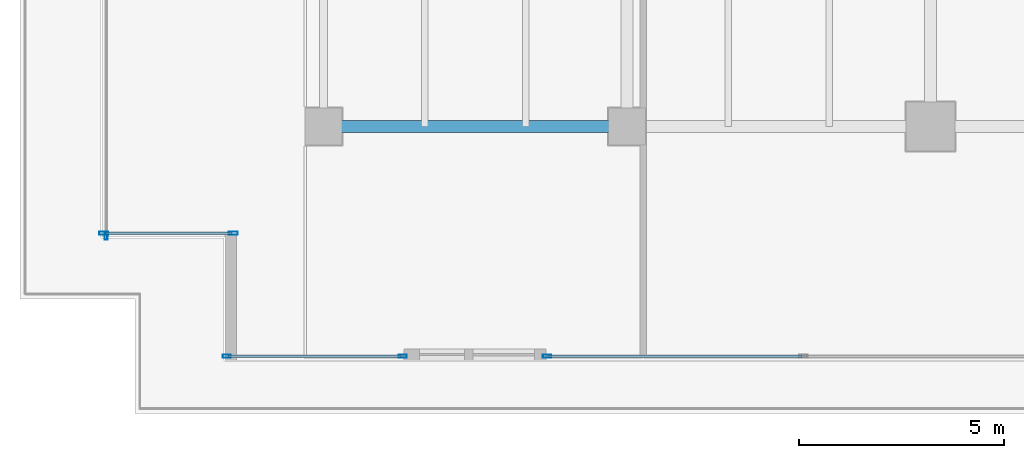
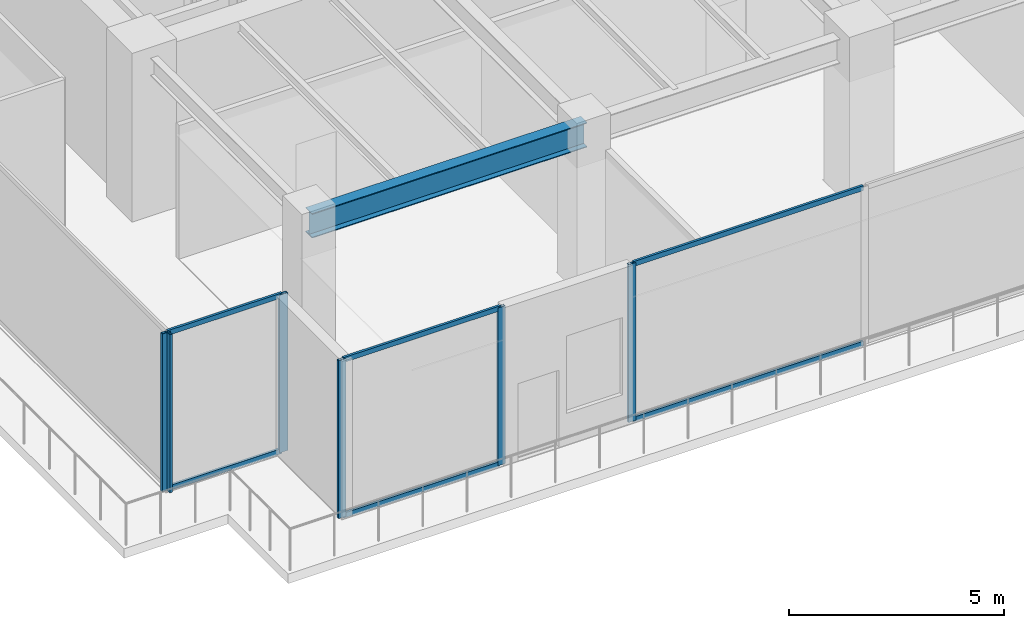
# One storey, part 2 of 33: 12 members, 1 beam, 4 elements without a shape of their own.
"""IFC4 building model written with IfcOpenShell, lengths in metres."""

import ifcopenshell
import ifcopenshell.guid

model = None  # the IFC model being written
_history = None  # IfcOwnerHistory: only IFC2X3 demands one
_inside = {}  # id of a spatial element -> (the spatial element, [elements in it])
_under = {}  # id of a project, library or spatial element -> (it, [spatial elements below it])
_declared = {}  # id of a project -> (the project, [libraries it declares])
_typed = {}  # id of a type object -> (the type object, [elements of that type])
_made_of = {}  # id of a material, layer set ... -> (it, [elements and type objects made of it])


def new_model(schema):
    """Start an empty IFC model of exactly this schema.

    Asked for "IFC4X3", IfcOpenShell would pick the latest addendum, in which some entities
    have other attributes; the version numbers below select the first issue.
    IFC2X3 requires an IfcOwnerHistory on every rooted entity: one is made here for all.
    """
    global model, _history
    if schema == "IFC4X3":
        model = ifcopenshell.file(schema_version=(4, 3, 0, 0))
    else:
        model = ifcopenshell.file(schema=schema)
    _inside.clear()
    _under.clear()
    _declared.clear()
    _typed.clear()
    _made_of.clear()
    _history = None
    if model.schema == "IFC2X3":
        org = make("IfcOrganization", Name="unknown")
        user = make(
            "IfcPersonAndOrganization",
            ThePerson=make("IfcPerson", FamilyName="unknown"),
            TheOrganization=org,
        )
        app = make(
            "IfcApplication",
            ApplicationDeveloper=org,
            Version="unknown",
            ApplicationFullName="unknown",
            ApplicationIdentifier="unknown",
        )
        _history = make(
            "IfcOwnerHistory",
            OwningUser=user,
            OwningApplication=app,
            ChangeAction="ADDED",
            CreationDate=0,
        )
    return model


def make(cls, **values):
    """One entity of the class cls with the attributes given. An attribute that is None is left unset."""
    return model.create_entity(
        cls, **{name: value for name, value in values.items() if value is not None}
    )


def rooted(cls, **values):
    """An entity with a GlobalId (a new one), such as an element, a storey or a relation."""
    return make(cls, GlobalId=ifcopenshell.guid.new(), OwnerHistory=_history, **values)


def si_unit(unit_type, name, prefix=None):
    """IfcSIUnit, for example si_unit("LENGTHUNIT", "METRE", prefix="MILLI")."""
    return make("IfcSIUnit", UnitType=unit_type, Prefix=prefix, Name=name)


def assignment(units):
    """IfcUnitAssignment: the units of a project."""
    return None if units is None else make("IfcUnitAssignment", Units=units)


def point(xyz):
    """IfcCartesianPoint."""
    return None if xyz is None else make("IfcCartesianPoint", Coordinates=xyz)


def direction(xyz):
    """IfcDirection."""
    return None if xyz is None else make("IfcDirection", DirectionRatios=xyz)


def frame(location, z_axis=None, x_axis=None):
    """IfcAxis2Placement3D, a coordinate frame: its origin and axes. An axis left out is left unset."""
    return make(
        "IfcAxis2Placement3D",
        Location=point(location),
        Axis=direction(z_axis),
        RefDirection=direction(x_axis),
    )


def frame_2d(location, x_axis=None):
    """IfcAxis2Placement2D, a coordinate frame in the plane: its origin and x axis."""
    return make(
        "IfcAxis2Placement2D", Location=point(location), RefDirection=direction(x_axis)
    )


def origin():
    """The frame at (0, 0, 0) with its axes left unset."""
    return frame((0.0, 0.0, 0.0))


def origin_2d():
    """The frame at (0, 0) in the plane with its x axis left unset."""
    return frame_2d((0.0, 0.0))


def place(relative_to, where):
    """IfcLocalPlacement: puts the frame where relative to a parent placement (None: the world)."""
    return make(
        "IfcLocalPlacement", PlacementRelTo=relative_to, RelativePlacement=where
    )


def context(
    kind, dimensions, precision=None, world=None, true_north=None, identifier=None
):
    """IfcGeometricRepresentationContext, for example the 3D "Model" context."""
    return make(
        "IfcGeometricRepresentationContext",
        ContextIdentifier=identifier,
        ContextType=kind,
        CoordinateSpaceDimension=dimensions,
        Precision=precision,
        WorldCoordinateSystem=world,
        TrueNorth=true_north,
    )


def subcontext(parent, identifier, kind, view, scale=None):
    """IfcGeometricRepresentationSubContext, for example "Body" below "Model"."""
    return make(
        "IfcGeometricRepresentationSubContext",
        ContextIdentifier=identifier,
        ContextType=kind,
        ParentContext=parent,
        TargetScale=scale,
        TargetView=view,
    )


def project(units=None, contexts=None):
    """IfcProject with its units and contexts."""
    return rooted(
        "IfcProject",
        Name="project",
        RepresentationContexts=contexts,
        UnitsInContext=assignment(units),
    )


def spatial(cls, under=None, at=None, **own):
    """A site, building, storey or space (cls), placed at a placement, below another one or the project."""
    s = rooted(cls, ObjectPlacement=at, **own)
    if under is not None:
        _under.setdefault(under.id(), (under, []))[1].append(s)
    return s


def profile(cls, at=None, kind="AREA", **sizes):
    """A parametric profile (cls). Its sizes go by their IFC names, for example OverallWidth=200.0."""
    return make(cls, ProfileType=kind, Position=at, **sizes)


def hollow_rectangle(**sizes):
    """IfcRectangleHollowProfileDef."""
    return profile("IfcRectangleHollowProfileDef", **sizes)


def i_section(**sizes):
    """IfcIShapeProfileDef."""
    return profile("IfcIShapeProfileDef", **sizes)


def extrude(swept, where, along, depth):
    """IfcExtrudedAreaSolid: the profile swept, set in the frame where, extruded along a direction by depth."""
    return make(
        "IfcExtrudedAreaSolid",
        SweptArea=swept,
        Position=where,
        ExtrudedDirection=direction(along),
        Depth=depth,
    )


def shape(context_of_items, identifier, shape_type, items):
    """IfcShapeRepresentation: the items that make up one representation, for example the "Body"."""
    return make(
        "IfcShapeRepresentation",
        ContextOfItems=context_of_items,
        RepresentationIdentifier=identifier,
        RepresentationType=shape_type,
        Items=items,
    )


def source(mapping_origin, context_of_items, identifier, shape_type, items):
    """IfcRepresentationMap: a shape defined once, which mapped items show again and again."""
    return make(
        "IfcRepresentationMap",
        MappingOrigin=mapping_origin,
        MappedRepresentation=shape(context_of_items, identifier, shape_type, items),
    )


def transform(
    local_origin,
    x_axis=None,
    y_axis=None,
    z_axis=None,
    scale=None,
    scale2=None,
    scale3=None,
    uniform=True,
):
    """IfcCartesianTransformationOperator3D, or its non-uniform kind. x_axis, y_axis, z_axis: its Axis1, 2, 3."""
    if uniform:
        return make(
            "IfcCartesianTransformationOperator3D",
            Axis1=direction(x_axis),
            Axis2=direction(y_axis),
            LocalOrigin=point(local_origin),
            Scale=scale,
            Axis3=direction(z_axis),
        )
    return make(
        "IfcCartesianTransformationOperator3DnonUniform",
        Axis1=direction(x_axis),
        Axis2=direction(y_axis),
        LocalOrigin=point(local_origin),
        Scale=scale,
        Axis3=direction(z_axis),
        Scale2=scale2,
        Scale3=scale3,
    )


def mapped(mapping_source, mapping_target):
    """IfcMappedItem: shows the shape of a source again, moved by a transform."""
    return make(
        "IfcMappedItem", MappingSource=mapping_source, MappingTarget=mapping_target
    )


def material(Name=None, Category=None):
    """IfcMaterial."""
    return make("IfcMaterial", Name=Name, Category=Category)


def layer(
    of_material, thickness, ventilated=None, Name=None, Category=None, Priority=None
):
    """IfcMaterialLayer: one layer of a wall or slab, of a material (None: an air gap)."""
    return make(
        "IfcMaterialLayer",
        Material=of_material,
        LayerThickness=thickness,
        IsVentilated=ventilated,
        Name=Name,
        Category=Category,
        Priority=Priority,
    )


def layer_set(layers, Name=None):
    """IfcMaterialLayerSet."""
    return make("IfcMaterialLayerSet", MaterialLayers=layers, LayerSetName=Name)


def material_profile(
    of_material, cross_section, Name=None, Category=None, Priority=None
):
    """IfcMaterialProfile: a cross section and its material."""
    return make(
        "IfcMaterialProfile",
        Name=Name,
        Material=of_material,
        Profile=cross_section,
        Priority=Priority,
        Category=Category,
    )


def profile_set(profiles, Name=None, composite=None):
    """IfcMaterialProfileSet."""
    return make(
        "IfcMaterialProfileSet",
        Name=Name,
        MaterialProfiles=profiles,
        CompositeProfile=composite,
    )


def made_of(thing, what):
    """Note that an element or type object is made of a material, layer set ...; save() writes the relation."""
    if what is not None:
        _made_of.setdefault(what.id(), (what, []))[1].append(thing)
    return thing


def type_object(cls, material=None, **own):
    """A type object (cls), such as IfcWallType, which elements share."""
    return made_of(rooted(cls, **own), material)


def type_shapes(of_type, sources):
    """Give a type object the sources (RepresentationMaps) that its elements show as mapped items."""
    of_type.RepresentationMaps = sources


def element(
    cls,
    number,
    at=None,
    inside=None,
    cuts=None,
    type_object=None,
    material=None,
    context=None,
    identifier="Body",
    shape_type=None,
    held_by="IfcProductDefinitionShape",
    body=None,
    shapes=None,
    **own,
):
    """One element of the class cls, such as IfcWall. Its Tag is "e" and its number.

    at: its placement. inside: the storey or other place that contains it. cuts: it is an
    opening in that element (IfcRelVoidsElement). A single representation is given by context,
    identifier, shape_type and body (its items); several are given by shapes. held_by: the class
    of the entity that holds the representations. save() writes the other relations.
    """
    e = rooted(cls, Tag="e%d" % number, ObjectPlacement=at, **own)
    if body is not None:
        shapes = [shape(context, identifier, shape_type, body)]
    if shapes is not None:
        e.Representation = make(held_by, Representations=shapes)
    if inside is not None:
        _inside.setdefault(inside.id(), (inside, []))[1].append(e)
    if cuts is not None:
        rooted(
            "IfcRelVoidsElement", RelatingBuildingElement=cuts, RelatedOpeningElement=e
        )
    if type_object is not None:
        _typed.setdefault(type_object.id(), (type_object, []))[1].append(e)
    return made_of(e, material)


def aggregate(whole, parts):
    """IfcRelAggregates: a whole, such as a stair, and the parts it consists of."""
    return rooted("IfcRelAggregates", RelatingObject=whole, RelatedObjects=parts)


def save(model, path):
    """Write the relations noted so far, then the file.

    IfcRelAggregates (storeys below a building ...), IfcRelContainedInSpatialStructure (elements
    in a storey), IfcRelDefinesByType, IfcRelAssociatesMaterial and IfcRelDeclares: one each for
    every whole, place, type object, material and project.
    """
    for whole, parts in _under.values():
        aggregate(whole, parts)
    for where, things in _inside.values():
        rooted(
            "IfcRelContainedInSpatialStructure",
            RelatedElements=things,
            RelatingStructure=where,
        )
    for kind, things in _typed.values():
        rooted("IfcRelDefinesByType", RelatedObjects=things, RelatingType=kind)
    for what, things in _made_of.values():
        rooted("IfcRelAssociatesMaterial", RelatedObjects=things, RelatingMaterial=what)
    for by, libraries in _declared.values():
        rooted("IfcRelDeclares", RelatingContext=by, RelatedDefinitions=libraries)
    model.write(path)


model = new_model("IFC4")

# Units and contexts
model_context = context("Model", 3, precision=1e-05, world=origin(), true_north=direction((0.0, 1.0)))
body_context = subcontext(model_context, "Body", "Model", "MODEL_VIEW")
ifc_project = project(units=[si_unit("LENGTHUNIT", "METRE"), si_unit("AREAUNIT", "SQUARE_METRE"), si_unit("VOLUMEUNIT", "CUBIC_METRE"), si_unit("PLANEANGLEUNIT", "RADIAN"), si_unit("MASSUNIT", "GRAM", prefix="KILO")], contexts=[model_context])

# Site, building, storey
site_placement = place(None, origin())
site = spatial("IfcSite", under=ifc_project, at=site_placement, CompositionType="ELEMENT")
building_placement = place(site_placement, origin())
building = spatial("IfcBuilding", under=site, at=building_placement, Name="Haelvirn Gate Laboratories", CompositionType="ELEMENT")
storey_placement = place(building_placement, frame((0.0, 0.0, 100.300048828125)))
storey = spatial("IfcBuildingStorey", under=building, at=storey_placement, Name="L24", CompositionType="ELEMENT", Elevation=100.300048828125)

# Beam
ifc_material_1 = material(Name="Steel SM355", Category="steel")
ifc_material_profile_1 = material_profile(ifc_material_1, i_section(OverallWidth=0.300048828125, OverallDepth=0.699951171875, WebThickness=0.012939453125, FlangeThickness=0.02392578125, at=origin_2d()), Name="H-700x300x13x24")
ifc_profile_set_1 = profile_set([ifc_material_profile_1], Name="Steel SM355")
beam_type = type_object("IfcBeamType", Name="BM-G-700", PredefinedType="BEAM", material=ifc_profile_set_1)
shared_shape_1 = source(origin(), body_context, "Body", "SweptSolid", [
    extrude(i_section(OverallWidth=0.300048828125, OverallDepth=0.699951171875, WebThickness=0.012939453125, FlangeThickness=0.02392578125, at=origin_2d()), origin(), (0.0, 0.0, 1.0), 7.400146484375),
])
type_shapes(beam_type, [shared_shape_1])
beam_placement = place(storey_placement, frame((7.39990234375, 7.0, 4.139892578125), z_axis=(1.0, 0.0, 0.0), x_axis=(0.0, 1.0, 0.0)))
element("IfcBeam", 1, at=beam_placement, inside=storey, type_object=beam_type, Name="L24 Primary Girder Y7.0 (7.4-14.8)", PredefinedType="BEAM", context=body_context, shape_type="MappedRepresentation", body=[
    mapped(shared_shape_1, transform((0.0, 0.0, 0.0), scale=1.0)),
])

# Curtain wall, members
ifc_material_2 = material(Name="Anodised bronze unitised aluminium & triple low-E glass", Category="aluminium")
ifc_layer_1 = layer(ifc_material_2, 0.179931640625, Name="CW-SYS-3")
ifc_layer_set_1 = layer_set([ifc_layer_1], Name="Anodised bronze unitised aluminium & triple low-E glass")
curtain_wall_type_1 = type_object("IfcCurtainWallType", Name="CW-SYS-3", PredefinedType="NOTDEFINED", material=ifc_layer_set_1)
curtain_wall_1_placement = place(storey_placement, origin())
curtain_wall_1 = element("IfcCurtainWall", 2, at=curtain_wall_1_placement, inside=storey, type_object=curtain_wall_type_1, Name="L24 Unitised Curtain Wall CW-L24-P0-E00-1", PredefinedType="NOTDEFINED")
ifc_material_3 = material(Name="Extruded aluminium 6063-T6 (anodised bronze)", Category="aluminium")
ifc_material_profile_2 = material_profile(ifc_material_3, hollow_rectangle(XDim=0.074951171875, YDim=0.199951171875, WallThickness=0.0048828125, at=origin_2d()), Name="CWM-200x75x5")
ifc_profile_set_2 = profile_set([ifc_material_profile_2], Name="Extruded aluminium 6063-T6 (anodised bronze)")
member_type_1 = type_object("IfcMemberType", Name="CWM-T200", PredefinedType="MULLION", material=ifc_profile_set_2)
shared_shape_2 = source(origin(), body_context, "Body", "SweptSolid", [
    extrude(hollow_rectangle(XDim=0.074951171875, YDim=0.199951171875, WallThickness=0.0048828125, at=origin_2d()), origin(), (0.0, 0.0, 1.0), 4.489990234375),
])
type_shapes(member_type_1, [shared_shape_2])
member_1_placement = place(storey_placement, frame((5.03759765625, 1.39990234375, 0.0), z_axis=(0.0, 0.0, 1.0), x_axis=(0.0, 1.0, 0.0)))
member_1 = element("IfcMember", 3, at=member_1_placement, type_object=member_type_1, Name="CW3 mullion 1", PredefinedType="MULLION", context=body_context, shape_type="MappedRepresentation", body=[
    mapped(shared_shape_2, transform((0.0, 0.0, 0.0), scale=1.0)),
])
member_2_placement = place(storey_placement, frame((9.33251953125, 1.39990234375, 0.0), z_axis=(0.0, 0.0, 1.0), x_axis=(0.0, 1.0, 0.0)))
member_2 = element("IfcMember", 4, at=member_2_placement, type_object=member_type_1, Name="CW3 mullion 2", PredefinedType="MULLION", context=body_context, shape_type="MappedRepresentation", body=[
    mapped(shared_shape_2, transform((0.0, 0.0, 0.0), scale=1.0)),
])

# Curtain wall, member
curtain_wall_2_placement = place(storey_placement, origin())
curtain_wall_2 = element("IfcCurtainWall", 5, at=curtain_wall_2_placement, inside=storey, type_object=curtain_wall_type_1, Name="L24 Unitised Curtain Wall CW-L24-P0-E00-2", PredefinedType="NOTDEFINED")
member_3_placement = place(storey_placement, frame((12.847412109375, 1.39990234375, 0.0), z_axis=(0.0, 0.0, 1.0), x_axis=(0.0, 1.0, 0.0)))
member_3 = element("IfcMember", 6, at=member_3_placement, type_object=member_type_1, Name="CW3 mullion 1", PredefinedType="MULLION", context=body_context, shape_type="MappedRepresentation", body=[
    mapped(shared_shape_2, transform((0.0, 0.0, 0.0), scale=1.0)),
])

curtain_wall_3_placement = place(storey_placement, origin())
curtain_wall_3 = element("IfcCurtainWall", 7, at=curtain_wall_3_placement, inside=storey, type_object=curtain_wall_type_1, Name="L24 Unitised Curtain Wall CW-L24-P0-E17", PredefinedType="NOTDEFINED")
member_4_placement = place(storey_placement, frame((2.10009765625, 4.33740234375, 0.0), z_axis=(0.0, 0.0, 1.0), x_axis=(1.0, 0.0, 0.0)))
member_4 = element("IfcMember", 8, at=member_4_placement, type_object=member_type_1, Name="CW3 mullion 4", PredefinedType="MULLION", context=body_context, shape_type="MappedRepresentation", body=[
    mapped(shared_shape_2, transform((0.0, 0.0, 0.0), scale=1.0)),
])
aggregate(curtain_wall_3, [member_4])

# Member
ifc_material_profile_3 = material_profile(ifc_material_3, hollow_rectangle(XDim=0.06494140625, YDim=0.139892578125, WallThickness=0.00390625, at=origin_2d()), Name="CWT-140x65x4")
ifc_profile_set_3 = profile_set([ifc_material_profile_3], Name="Extruded aluminium 6063-T6 (anodised bronze)")
member_type_2 = type_object("IfcMemberType", Name="CWT-T140", PredefinedType="USERDEFINED", material=ifc_profile_set_3)
shared_shape_3 = source(origin(), body_context, "Body", "SweptSolid", [
    extrude(hollow_rectangle(XDim=0.06494140625, YDim=0.139892578125, WallThickness=0.00390625, at=origin_2d()), origin(), (0.0, 0.0, 1.0), 4.219970703125),
])
member_5_placement = place(storey_placement, frame((5.074951171875, 1.39990234375, 0.032470703125), z_axis=(1.0, 0.0, 0.0), x_axis=(0.0, 1.0, 0.0)))
member_5 = element("IfcMember", 9, at=member_5_placement, type_object=member_type_2, Name="CW3 transom 1.1", ObjectType="TRANSOM", PredefinedType="USERDEFINED", context=body_context, shape_type="MappedRepresentation", body=[
    mapped(shared_shape_3, transform((0.0, 0.0, 0.0), scale=1.0)),
])

member_6_placement = place(storey_placement, frame((5.074951171875, 1.39990234375, 4.45751953125), z_axis=(1.0, 0.0, 0.0), x_axis=(0.0, 1.0, 0.0)))
member_6 = element("IfcMember", 10, at=member_6_placement, type_object=member_type_2, Name="CW3 transom 1.2", ObjectType="TRANSOM", PredefinedType="USERDEFINED", context=body_context, shape_type="MappedRepresentation", body=[
    mapped(shared_shape_3, transform((0.0, 0.0, 0.0), scale=1.0)),
])

aggregate(curtain_wall_1, [member_1, member_2, member_5, member_6])

shared_shape_4 = source(origin(), body_context, "Body", "SweptSolid", [
    extrude(hollow_rectangle(XDim=0.06494140625, YDim=0.139892578125, WallThickness=0.00390625, at=origin_2d()), origin(), (0.0, 0.0, 1.0), 6.182373046875),
])
member_7_placement = place(storey_placement, frame((12.885009765625, 1.39990234375, 0.032470703125), z_axis=(1.0, 0.0, 0.0), x_axis=(0.0, 1.0, 0.0)))
member_7 = element("IfcMember", 11, at=member_7_placement, type_object=member_type_2, Name="CW3 transom 1.1", ObjectType="TRANSOM", PredefinedType="USERDEFINED", context=body_context, shape_type="MappedRepresentation", body=[
    mapped(shared_shape_4, transform((0.0, 0.0, 0.0), scale=1.0)),
])

member_8_placement = place(storey_placement, frame((12.885009765625, 1.39990234375, 4.45751953125), z_axis=(1.0, 0.0, 0.0), x_axis=(0.0, 1.0, 0.0)))
member_8 = element("IfcMember", 12, at=member_8_placement, type_object=member_type_2, Name="CW3 transom 1.2", ObjectType="TRANSOM", PredefinedType="USERDEFINED", context=body_context, shape_type="MappedRepresentation", body=[
    mapped(shared_shape_4, transform((0.0, 0.0, 0.0), scale=1.0)),
])

aggregate(curtain_wall_2, [member_3, member_7, member_8])

# Curtain wall, members
ifc_layer_2 = layer(ifc_material_2, 0.181884765625, Name="CW-SYS-5")
ifc_layer_set_2 = layer_set([ifc_layer_2], Name="Anodised bronze unitised aluminium & triple low-E glass")
curtain_wall_type_2 = type_object("IfcCurtainWallType", Name="CW-SYS-5", PredefinedType="NOTDEFINED", material=ifc_layer_set_2)
curtain_wall_4_placement = place(storey_placement, origin())
curtain_wall_4 = element("IfcCurtainWall", 13, at=curtain_wall_4_placement, inside=storey, type_object=curtain_wall_type_2, Name="L24 Unitised Curtain Wall CW-L24-P0-E18-1", PredefinedType="NOTDEFINED")
ifc_material_profile_4 = material_profile(ifc_material_3, hollow_rectangle(XDim=0.080078125, YDim=0.219970703125, WallThickness=0.006103515625, at=origin_2d()), Name="CWM-220x80x6")
ifc_profile_set_4 = profile_set([ifc_material_profile_4], Name="Extruded aluminium 6063-T6 (anodised bronze)")
member_type_3 = type_object("IfcMemberType", Name="CWM-T220", PredefinedType="MULLION", material=ifc_profile_set_4)
shared_shape_5 = source(origin(), body_context, "Body", "SweptSolid", [
    extrude(hollow_rectangle(XDim=0.080078125, YDim=0.219970703125, WallThickness=0.006103515625, at=origin_2d()), origin(), (0.0, 0.0, 1.0), 4.489990234375),
])
type_shapes(member_type_3, [shared_shape_5])
member_9_placement = place(storey_placement, frame((2.0400390625, 4.39990234375, 0.0), z_axis=(0.0, 0.0, 1.0), x_axis=(0.0, 1.0, 0.0)))
member_9 = element("IfcMember", 14, at=member_9_placement, type_object=member_type_3, Name="CW5 mullion 1", PredefinedType="MULLION", context=body_context, shape_type="MappedRepresentation", body=[
    mapped(shared_shape_5, transform((0.0, 0.0, 0.0), scale=1.0)),
])
member_10_placement = place(storey_placement, frame((5.199951171875, 4.39990234375, 0.0), z_axis=(0.0, 0.0, 1.0), x_axis=(0.0, 1.0, 0.0)))
member_10 = element("IfcMember", 15, at=member_10_placement, type_object=member_type_3, Name="CW5 mullion 2", PredefinedType="MULLION", context=body_context, shape_type="MappedRepresentation", body=[
    mapped(shared_shape_5, transform((0.0, 0.0, 0.0), scale=1.0)),
])
shared_shape_6 = source(origin(), body_context, "Body", "SweptSolid", [
    extrude(hollow_rectangle(XDim=0.06494140625, YDim=0.139892578125, WallThickness=0.00390625, at=origin_2d()), origin(), (0.0, 0.0, 1.0), 3.079833984375),
])
type_shapes(member_type_2, [shared_shape_3, shared_shape_4, shared_shape_6])
member_11_placement = place(storey_placement, frame((2.080078125, 4.39990234375, 0.032470703125), z_axis=(1.0, 0.0, 0.0), x_axis=(0.0, 1.0, 0.0)))
member_11 = element("IfcMember", 16, at=member_11_placement, type_object=member_type_2, Name="CW5 transom 1.1", ObjectType="TRANSOM", PredefinedType="USERDEFINED", context=body_context, shape_type="MappedRepresentation", body=[
    mapped(shared_shape_6, transform((0.0, 0.0, 0.0), scale=1.0)),
])
member_12_placement = place(storey_placement, frame((2.080078125, 4.39990234375, 4.45751953125), z_axis=(1.0, 0.0, 0.0), x_axis=(0.0, 1.0, 0.0)))
member_12 = element("IfcMember", 17, at=member_12_placement, type_object=member_type_2, Name="CW5 transom 1.2", ObjectType="TRANSOM", PredefinedType="USERDEFINED", context=body_context, shape_type="MappedRepresentation", body=[
    mapped(shared_shape_6, transform((0.0, 0.0, 0.0), scale=1.0)),
])
aggregate(curtain_wall_4, [member_9, member_10, member_11, member_12])

save(model, "model.ifc")
